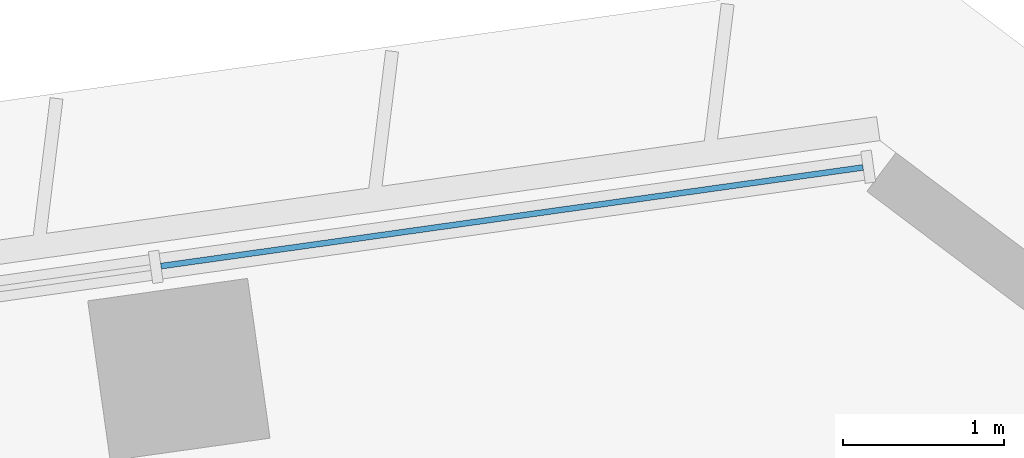
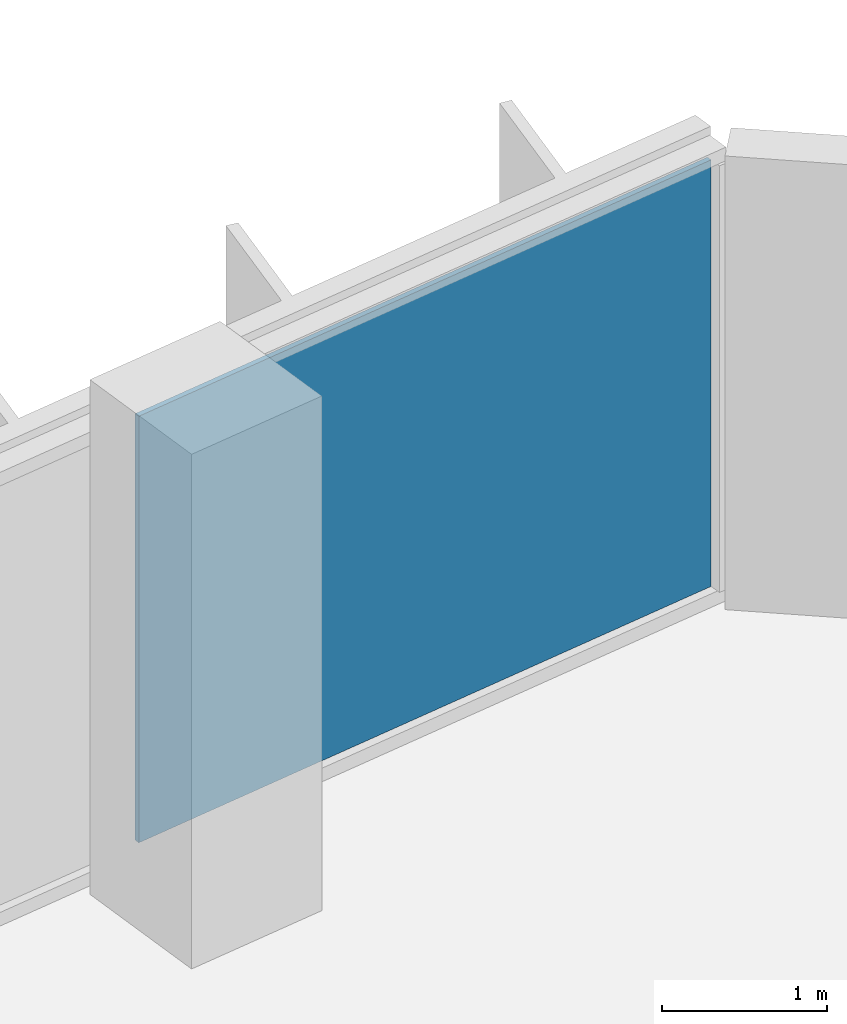
# One storey, part 13 of 24: 1 plate, 1 element without a shape of its own.
"""IFC4 building model written with IfcOpenShell, lengths in metres."""

import ifcopenshell
import ifcopenshell.guid

model = None  # the IFC model being written
_history = None  # IfcOwnerHistory: only IFC2X3 demands one
_inside = {}  # id of a spatial element -> (the spatial element, [elements in it])
_under = {}  # id of a project, library or spatial element -> (it, [spatial elements below it])
_declared = {}  # id of a project -> (the project, [libraries it declares])
_typed = {}  # id of a type object -> (the type object, [elements of that type])
_made_of = {}  # id of a material, layer set ... -> (it, [elements and type objects made of it])


def new_model(schema):
    """Start an empty IFC model of exactly this schema.

    Asked for "IFC4X3", IfcOpenShell would pick the latest addendum, in which some entities
    have other attributes; the version numbers below select the first issue.
    IFC2X3 requires an IfcOwnerHistory on every rooted entity: one is made here for all.
    """
    global model, _history
    if schema == "IFC4X3":
        model = ifcopenshell.file(schema_version=(4, 3, 0, 0))
    else:
        model = ifcopenshell.file(schema=schema)
    _inside.clear()
    _under.clear()
    _declared.clear()
    _typed.clear()
    _made_of.clear()
    _history = None
    if model.schema == "IFC2X3":
        org = make("IfcOrganization", Name="unknown")
        user = make(
            "IfcPersonAndOrganization",
            ThePerson=make("IfcPerson", FamilyName="unknown"),
            TheOrganization=org,
        )
        app = make(
            "IfcApplication",
            ApplicationDeveloper=org,
            Version="unknown",
            ApplicationFullName="unknown",
            ApplicationIdentifier="unknown",
        )
        _history = make(
            "IfcOwnerHistory",
            OwningUser=user,
            OwningApplication=app,
            ChangeAction="ADDED",
            CreationDate=0,
        )
    return model


def make(cls, **values):
    """One entity of the class cls with the attributes given. An attribute that is None is left unset."""
    return model.create_entity(
        cls, **{name: value for name, value in values.items() if value is not None}
    )


def rooted(cls, **values):
    """An entity with a GlobalId (a new one), such as an element, a storey or a relation."""
    return make(cls, GlobalId=ifcopenshell.guid.new(), OwnerHistory=_history, **values)


def si_unit(unit_type, name, prefix=None):
    """IfcSIUnit, for example si_unit("LENGTHUNIT", "METRE", prefix="MILLI")."""
    return make("IfcSIUnit", UnitType=unit_type, Prefix=prefix, Name=name)


def assignment(units):
    """IfcUnitAssignment: the units of a project."""
    return None if units is None else make("IfcUnitAssignment", Units=units)


def point(xyz):
    """IfcCartesianPoint."""
    return None if xyz is None else make("IfcCartesianPoint", Coordinates=xyz)


def direction(xyz):
    """IfcDirection."""
    return None if xyz is None else make("IfcDirection", DirectionRatios=xyz)


def frame(location, z_axis=None, x_axis=None):
    """IfcAxis2Placement3D, a coordinate frame: its origin and axes. An axis left out is left unset."""
    return make(
        "IfcAxis2Placement3D",
        Location=point(location),
        Axis=direction(z_axis),
        RefDirection=direction(x_axis),
    )


def frame_2d(location, x_axis=None):
    """IfcAxis2Placement2D, a coordinate frame in the plane: its origin and x axis."""
    return make(
        "IfcAxis2Placement2D", Location=point(location), RefDirection=direction(x_axis)
    )


def origin():
    """The frame at (0, 0, 0) with its axes left unset."""
    return frame((0.0, 0.0, 0.0))


def origin_2d():
    """The frame at (0, 0) in the plane with its x axis left unset."""
    return frame_2d((0.0, 0.0))


def place(relative_to, where):
    """IfcLocalPlacement: puts the frame where relative to a parent placement (None: the world)."""
    return make(
        "IfcLocalPlacement", PlacementRelTo=relative_to, RelativePlacement=where
    )


def context(
    kind, dimensions, precision=None, world=None, true_north=None, identifier=None
):
    """IfcGeometricRepresentationContext, for example the 3D "Model" context."""
    return make(
        "IfcGeometricRepresentationContext",
        ContextIdentifier=identifier,
        ContextType=kind,
        CoordinateSpaceDimension=dimensions,
        Precision=precision,
        WorldCoordinateSystem=world,
        TrueNorth=true_north,
    )


def subcontext(parent, identifier, kind, view, scale=None):
    """IfcGeometricRepresentationSubContext, for example "Body" below "Model"."""
    return make(
        "IfcGeometricRepresentationSubContext",
        ContextIdentifier=identifier,
        ContextType=kind,
        ParentContext=parent,
        TargetScale=scale,
        TargetView=view,
    )


def project(units=None, contexts=None):
    """IfcProject with its units and contexts."""
    return rooted(
        "IfcProject",
        Name="project",
        RepresentationContexts=contexts,
        UnitsInContext=assignment(units),
    )


def spatial(cls, under=None, at=None, **own):
    """A site, building, storey or space (cls), placed at a placement, below another one or the project."""
    s = rooted(cls, ObjectPlacement=at, **own)
    if under is not None:
        _under.setdefault(under.id(), (under, []))[1].append(s)
    return s


def profile(cls, at=None, kind="AREA", **sizes):
    """A parametric profile (cls). Its sizes go by their IFC names, for example OverallWidth=200.0."""
    return make(cls, ProfileType=kind, Position=at, **sizes)


def rectangle(**sizes):
    """IfcRectangleProfileDef."""
    return profile("IfcRectangleProfileDef", **sizes)


def extrude(swept, where, along, depth):
    """IfcExtrudedAreaSolid: the profile swept, set in the frame where, extruded along a direction by depth."""
    return make(
        "IfcExtrudedAreaSolid",
        SweptArea=swept,
        Position=where,
        ExtrudedDirection=direction(along),
        Depth=depth,
    )


def shape(context_of_items, identifier, shape_type, items):
    """IfcShapeRepresentation: the items that make up one representation, for example the "Body"."""
    return make(
        "IfcShapeRepresentation",
        ContextOfItems=context_of_items,
        RepresentationIdentifier=identifier,
        RepresentationType=shape_type,
        Items=items,
    )


def material(Name=None, Category=None):
    """IfcMaterial."""
    return make("IfcMaterial", Name=Name, Category=Category)


def layer(
    of_material, thickness, ventilated=None, Name=None, Category=None, Priority=None
):
    """IfcMaterialLayer: one layer of a wall or slab, of a material (None: an air gap)."""
    return make(
        "IfcMaterialLayer",
        Material=of_material,
        LayerThickness=thickness,
        IsVentilated=ventilated,
        Name=Name,
        Category=Category,
        Priority=Priority,
    )


def layer_set(layers, Name=None):
    """IfcMaterialLayerSet."""
    return make("IfcMaterialLayerSet", MaterialLayers=layers, LayerSetName=Name)


def made_of(thing, what):
    """Note that an element or type object is made of a material, layer set ...; save() writes the relation."""
    if what is not None:
        _made_of.setdefault(what.id(), (what, []))[1].append(thing)
    return thing


def type_object(cls, material=None, **own):
    """A type object (cls), such as IfcWallType, which elements share."""
    return made_of(rooted(cls, **own), material)


def element(
    cls,
    number,
    at=None,
    inside=None,
    cuts=None,
    type_object=None,
    material=None,
    context=None,
    identifier="Body",
    shape_type=None,
    held_by="IfcProductDefinitionShape",
    body=None,
    shapes=None,
    **own,
):
    """One element of the class cls, such as IfcWall. Its Tag is "e" and its number.

    at: its placement. inside: the storey or other place that contains it. cuts: it is an
    opening in that element (IfcRelVoidsElement). A single representation is given by context,
    identifier, shape_type and body (its items); several are given by shapes. held_by: the class
    of the entity that holds the representations. save() writes the other relations.
    """
    e = rooted(cls, Tag="e%d" % number, ObjectPlacement=at, **own)
    if body is not None:
        shapes = [shape(context, identifier, shape_type, body)]
    if shapes is not None:
        e.Representation = make(held_by, Representations=shapes)
    if inside is not None:
        _inside.setdefault(inside.id(), (inside, []))[1].append(e)
    if cuts is not None:
        rooted(
            "IfcRelVoidsElement", RelatingBuildingElement=cuts, RelatedOpeningElement=e
        )
    if type_object is not None:
        _typed.setdefault(type_object.id(), (type_object, []))[1].append(e)
    return made_of(e, material)


def aggregate(whole, parts):
    """IfcRelAggregates: a whole, such as a stair, and the parts it consists of."""
    return rooted("IfcRelAggregates", RelatingObject=whole, RelatedObjects=parts)


def save(model, path):
    """Write the relations noted so far, then the file.

    IfcRelAggregates (storeys below a building ...), IfcRelContainedInSpatialStructure (elements
    in a storey), IfcRelDefinesByType, IfcRelAssociatesMaterial and IfcRelDeclares: one each for
    every whole, place, type object, material and project.
    """
    for whole, parts in _under.values():
        aggregate(whole, parts)
    for where, things in _inside.values():
        rooted(
            "IfcRelContainedInSpatialStructure",
            RelatedElements=things,
            RelatingStructure=where,
        )
    for kind, things in _typed.values():
        rooted("IfcRelDefinesByType", RelatedObjects=things, RelatingType=kind)
    for what, things in _made_of.values():
        rooted("IfcRelAssociatesMaterial", RelatedObjects=things, RelatingMaterial=what)
    for by, libraries in _declared.values():
        rooted("IfcRelDeclares", RelatingContext=by, RelatedDefinitions=libraries)
    model.write(path)


model = new_model("IFC4")

# Units and contexts
model_context = context("Model", 3, precision=1e-05, world=origin(), true_north=direction((0.0, 1.0)))
body_context = subcontext(model_context, "Body", "Model", "MODEL_VIEW")
ifc_project = project(units=[si_unit("LENGTHUNIT", "METRE"), si_unit("AREAUNIT", "SQUARE_METRE"), si_unit("VOLUMEUNIT", "CUBIC_METRE"), si_unit("PLANEANGLEUNIT", "RADIAN"), si_unit("MASSUNIT", "GRAM", prefix="KILO")], contexts=[model_context])

# Site, building, storey
site_placement = place(None, origin())
site = spatial("IfcSite", under=ifc_project, at=site_placement, CompositionType="ELEMENT")
building_placement = place(site_placement, origin())
building = spatial("IfcBuilding", under=site, at=building_placement, Name="Mirante Cascada Hotel Towers", CompositionType="ELEMENT")
storey_placement = place(building_placement, frame((0.0, 0.0, 85.1)))
storey = spatial("IfcBuildingStorey", under=building, at=storey_placement, Name="L18", CompositionType="ELEMENT", Elevation=85.1)

# Curtain wall, plate
ifc_material_1 = material(Name="Aluminium mullion and transom frame with clear laminated glass", Category="aluminium")
curtain_wall_type = type_object("IfcCurtainWallType", Name="Ribbon curtain wall ECW1", PredefinedType="NOTDEFINED", material=ifc_material_1)
curtain_wall_placement = place(storey_placement, origin())
curtain_wall = element("IfcCurtainWall", 1, at=curtain_wall_placement, inside=storey, type_object=curtain_wall_type, Name="Front ribbon wall T2 L18", PredefinedType="NOTDEFINED")
ifc_material_2 = material(Name="Clear laminated glass", Category="glass")
ifc_layer = layer(ifc_material_2, 0.036)
ifc_layer_set = layer_set([ifc_layer], Name="ECW1 glass panel 36")
plate_type = type_object("IfcPlateType", Name="ECW1 glass panel 36", PredefinedType="CURTAIN_PANEL", material=ifc_layer_set)
plate_placement = place(storey_placement, frame((91.9184, 25.7373, 0.1), z_axis=(0.0, 0.0, 1.0), x_axis=(-0.9902681, -0.1391731, 0.0)))
plate = element("IfcPlate", 2, at=plate_placement, type_object=plate_type, Name="ECW1 panel 1", PredefinedType="CURTAIN_PANEL", context=body_context, shape_type="SweptSolid", body=[
    extrude(rectangle(XDim=4.3936, YDim=0.036, at=origin_2d()), origin(), (0.0, 0.0, 1.0), 3.15),
])
aggregate(curtain_wall, [plate])

save(model, "model.ifc")
